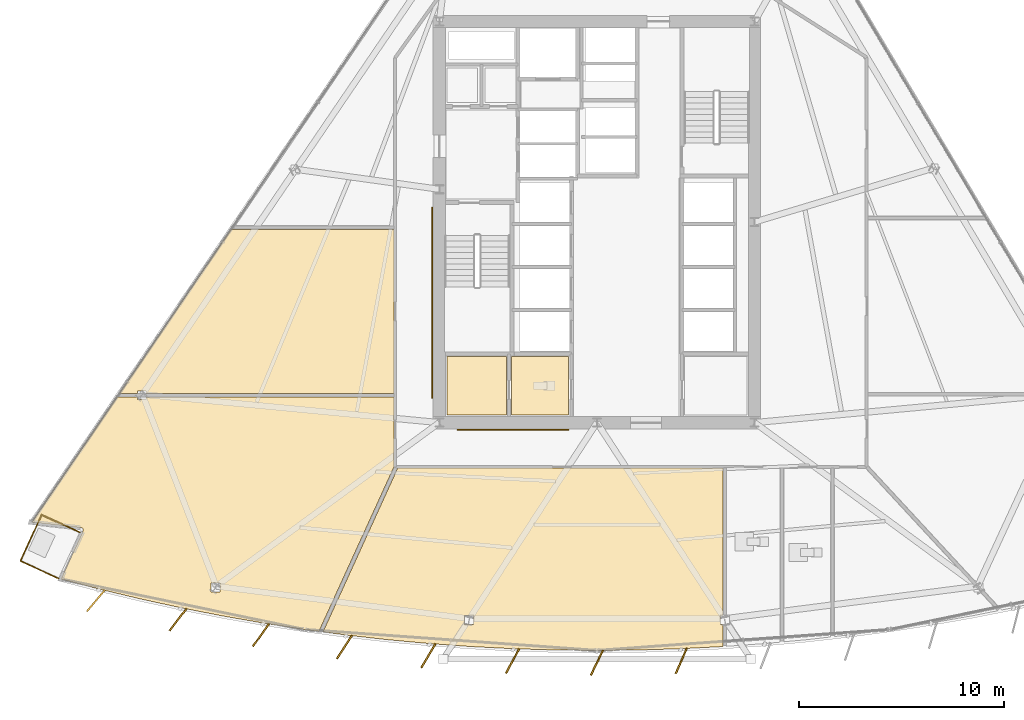
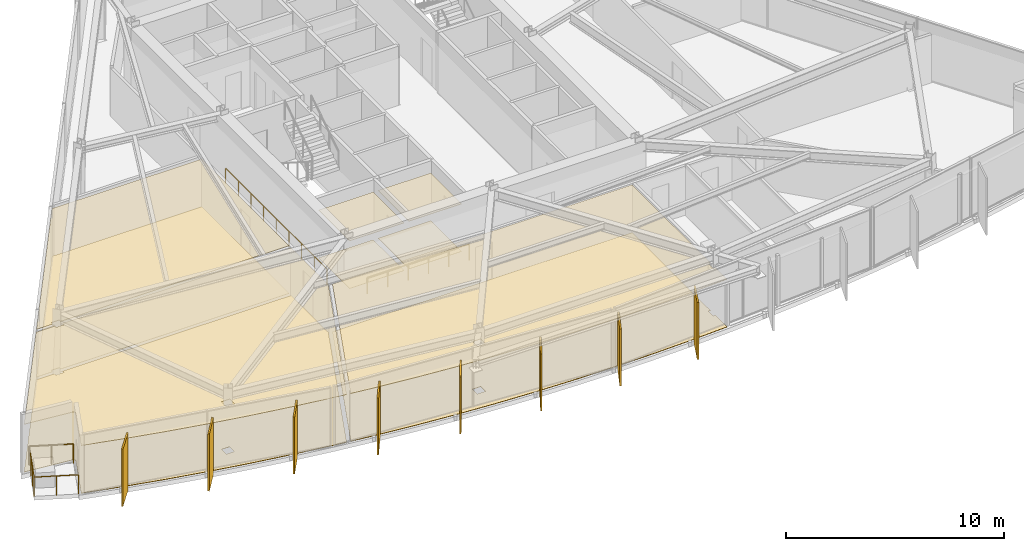
# One storey, part 11 of 15: 10 coverings, 8 shading devices, 5 railings.
"""IFC4 building model written with IfcOpenShell, lengths in metres."""

from ifc_helpers import new_model, si_unit, direction, frame, origin, origin_2d, place, context, subcontext, project, spatial, polyline, rectangle, circle, outline, extrude, material, layer, layer_set, type_object, element, save


model = new_model("IFC4")

# Units and contexts
model_context = context("Model", 3, precision=1e-05, world=origin(), true_north=direction((0.0, 1.0)))
body_context = subcontext(model_context, "Body", "Model", "MODEL_VIEW")
ifc_project = project(units=[si_unit("LENGTHUNIT", "METRE"), si_unit("AREAUNIT", "SQUARE_METRE"), si_unit("VOLUMEUNIT", "CUBIC_METRE"), si_unit("PLANEANGLEUNIT", "RADIAN"), si_unit("MASSUNIT", "GRAM", prefix="KILO")], contexts=[model_context])

# Site, building, storey
site_placement = place(None, origin())
site = spatial("IfcSite", under=ifc_project, at=site_placement, CompositionType="ELEMENT")
building_placement = place(site_placement, origin())
building = spatial("IfcBuilding", under=site, at=building_placement, Name="Savorim Split Tower", CompositionType="ELEMENT")
storey_placement = place(building_placement, frame((0.0, 0.0, 111.300048828125)))
storey = spatial("IfcBuildingStorey", under=building, at=storey_placement, Name="L29", CompositionType="ELEMENT", Elevation=111.300048828125)

# Coverings
ifc_material_1 = material(Name="Mineral Fibre Acoustic Ceiling")
ifc_layer_1 = layer(ifc_material_1, 0.02490234375)
ifc_layer_set_1 = layer_set([ifc_layer_1], Name="COV-CEIL-25")
covering_type_1 = type_object("IfcCoveringType", Name="COV-CEIL-25", PredefinedType="CEILING", material=ifc_layer_set_1)
covering_1_placement = place(storey_placement, frame((0.0, 0.0, 2.669921875)))
element("IfcCovering", 1, at=covering_1_placement, inside=storey, type_object=covering_type_1, Name="L29 Housekeeping Store Acoustic Ceiling", PredefinedType="CEILING", context=body_context, shape_type="SweptSolid", body=[
    extrude(outline(polyline([(-7.320068359375, -6.179931640625), (-7.320068359375, -9.02001953125), (-4.429931640625, -9.02001953125), (-4.429931640625, -6.179931640625), (-7.320068359375, -6.179931640625)])), origin(), (0.0, 0.0, 1.0), 0.025146484375),
])
covering_2_placement = place(storey_placement, frame((0.0, 0.0, 2.669921875)))
element("IfcCovering", 2, at=covering_2_placement, inside=storey, type_object=covering_type_1, Name="L29 Accessible WC Acoustic Ceiling", PredefinedType="CEILING", context=body_context, shape_type="SweptSolid", body=[
    extrude(outline(polyline([(-4.169921875, -6.179931640625), (-4.169921875, -9.02001953125), (-1.3798828125, -9.02001953125), (-1.3798828125, -6.179931640625), (-4.169921875, -6.179931640625)])), origin(), (0.0, 0.0, 1.0), 0.025146484375),
])
covering_3_placement = place(storey_placement, frame((0.0, 0.0, 2.669921875)))
element("IfcCovering", 3, at=covering_3_placement, inside=storey, type_object=covering_type_1, Name="L29 Co-Working Commons Acoustic Ceiling", PredefinedType="CEILING", context=body_context, shape_type="SweptSolid", body=[
    extrude(outline(polyline([(-22.03466796875, -7.845947265625), (-22.03466796875, -7.968994140625), (-9.919921875, -7.968994140625), (-9.919921875, 0.045166015625), (-17.87060546875, 0.045166015625), (-23.322265625, -7.968994140625), (-22.460693359375, -7.968994140625), (-22.460693359375, -7.845947265625), (-22.03466796875, -7.845947265625)])), origin(), (0.0, 0.0, 1.0), 0.025146484375),
])
covering_4_placement = place(storey_placement, frame((0.0, 0.0, 2.669921875)))
element("IfcCovering", 4, at=covering_4_placement, inside=storey, type_object=covering_type_1, Name="L29 Maker Workshop Acoustic Ceiling", PredefinedType="CEILING", context=body_context, shape_type="SweptSolid", body=[
    extrude(outline(polyline([(-25.099365234375, -14.656494140625), (-25.100341796875, -14.66845703125), (-25.1025390625, -14.68017578125), (-25.105712890625, -14.691650390625), (-25.1103515625, -14.70263671875), (-26.186279296875, -17.044921875), (-24.34130859375, -17.52734375), (-22.348876953125, -18.005126953125), (-20.34716796875, -18.44189453125), (-18.336669921875, -18.837890625), (-16.318603515625, -19.1923828125), (-14.2939453125, -19.505615234375), (-13.583740234375, -19.6005859375), (-9.906494140625, -11.539794921875), (-9.9091796875, -11.53369140625), (-9.9140625, -11.5205078125), (-9.917236328125, -11.50732421875), (-9.919189453125, -11.49365234375), (-9.919921875, -11.47998046875), (-9.919921875, -8.158935546875), (-22.03466796875, -8.158935546875), (-22.03466796875, -8.281982421875), (-22.460693359375, -8.281982421875), (-22.460693359375, -8.158935546875), (-23.326416015625, -8.158935546875), (-23.42138671875, -8.158935546875), (-23.42138671875, -8.114501953125), (-27.605712890625, -14.265380859375), (-25.2060546875, -14.533203125), (-25.194091796875, -14.535400390625), (-25.1826171875, -14.538330078125), (-25.17138671875, -14.54248046875), (-25.160888671875, -14.5478515625), (-25.150634765625, -14.55419921875), (-25.141357421875, -14.561279296875), (-25.132568359375, -14.569580078125), (-25.124755859375, -14.57861328125), (-25.117919921875, -14.58837890625), (-25.112060546875, -14.598876953125), (-25.107177734375, -14.609619140625), (-25.103515625, -14.62109375), (-25.10107421875, -14.6328125), (-25.099609375, -14.64453125), (-25.099365234375, -14.656494140625)]), holes=[polyline([(-18.85107421875, -17.672119140625), (-18.425048828125, -17.672119140625), (-18.425048828125, -17.236083984375), (-18.85107421875, -17.236083984375), (-18.85107421875, -17.672119140625)])]), origin(), (0.0, 0.0, 1.0), 0.025146484375),
])
covering_5_placement = place(storey_placement, frame((0.0, 0.0, 2.669921875)))
element("IfcCovering", 5, at=covering_5_placement, inside=storey, type_object=covering_type_1, Name="L29 Co-Working Commons Acoustic Ceiling", PredefinedType="CEILING", context=body_context, shape_type="SweptSolid", body=[
    extrude(outline(polyline([(6.03369140625, -18.826904296875), (6.151611328125, -18.826904296875), (6.151611328125, -11.6201171875), (-9.734130859375, -11.6201171875), (-13.386962890625, -19.627197265625), (-12.262939453125, -19.77734375), (-10.22705078125, -20.007568359375), (-8.186767578125, -20.196044921875), (-6.14306640625, -20.342529296875), (-4.0966796875, -20.447509765625), (-2.048828125, -20.51025390625), (0.0, -20.53125), (2.048828125, -20.51025390625), (4.0966796875, -20.447509765625), (6.14306640625, -20.342529296875), (6.151611328125, -20.342041015625), (6.151611328125, -19.262939453125), (6.03369140625, -19.262939453125), (6.03369140625, -18.826904296875)]), holes=[polyline([(-6.459716796875, -19.262939453125), (-6.03369140625, -19.262939453125), (-6.03369140625, -18.826904296875), (-6.459716796875, -18.826904296875), (-6.459716796875, -19.262939453125)])]), origin(), (0.0, 0.0, 1.0), 0.025146484375),
])
ifc_material_2 = material(Name="Porcelain Stoneware Flooring", Category="masonry")
ifc_layer_2 = layer(ifc_material_2, 0.02001953125)
ifc_layer_set_2 = layer_set([ifc_layer_2], Name="COV-FLOR-20")
covering_type_2 = type_object("IfcCoveringType", Name="COV-FLOR-20", PredefinedType="FLOORING", material=ifc_layer_set_2)
covering_6_placement = place(storey_placement, origin())
element("IfcCovering", 6, at=covering_6_placement, inside=storey, type_object=covering_type_2, Name="L29 Housekeeping Store Porcelain Flooring", PredefinedType="FLOORING", context=body_context, shape_type="SweptSolid", body=[
    extrude(outline(polyline([(-7.320068359375, -6.179931640625), (-7.320068359375, -9.02001953125), (-4.429931640625, -9.02001953125), (-4.429931640625, -6.179931640625), (-7.320068359375, -6.179931640625)])), origin(), (0.0, 0.0, 1.0), 0.02001953125),
])
covering_7_placement = place(storey_placement, origin())
element("IfcCovering", 7, at=covering_7_placement, inside=storey, type_object=covering_type_2, Name="L29 Accessible WC Porcelain Flooring", PredefinedType="FLOORING", context=body_context, shape_type="SweptSolid", body=[
    extrude(outline(polyline([(-4.169921875, -6.179931640625), (-4.169921875, -9.02001953125), (-1.3798828125, -9.02001953125), (-1.3798828125, -6.179931640625), (-4.169921875, -6.179931640625)])), origin(), (0.0, 0.0, 1.0), 0.02001953125),
])
covering_8_placement = place(storey_placement, origin())
element("IfcCovering", 8, at=covering_8_placement, inside=storey, type_object=covering_type_2, Name="L29 Co-Working Commons Porcelain Flooring", PredefinedType="FLOORING", context=body_context, shape_type="SweptSolid", body=[
    extrude(outline(polyline([(-22.03466796875, -7.845947265625), (-22.03466796875, -7.968994140625), (-9.919921875, -7.968994140625), (-9.919921875, 0.045166015625), (-17.87060546875, 0.045166015625), (-23.322265625, -7.968994140625), (-22.460693359375, -7.968994140625), (-22.460693359375, -7.845947265625), (-22.03466796875, -7.845947265625)])), origin(), (0.0, 0.0, 1.0), 0.02001953125),
])
covering_9_placement = place(storey_placement, origin())
element("IfcCovering", 9, at=covering_9_placement, inside=storey, type_object=covering_type_2, Name="L29 Maker Workshop Porcelain Flooring", PredefinedType="FLOORING", context=body_context, shape_type="SweptSolid", body=[
    extrude(outline(polyline([(-25.099365234375, -14.656494140625), (-25.100341796875, -14.66845703125), (-25.1025390625, -14.68017578125), (-25.105712890625, -14.691650390625), (-25.1103515625, -14.70263671875), (-26.186279296875, -17.044921875), (-24.34130859375, -17.52734375), (-22.348876953125, -18.005126953125), (-20.34716796875, -18.44189453125), (-18.336669921875, -18.837890625), (-16.318603515625, -19.1923828125), (-14.2939453125, -19.505615234375), (-13.583740234375, -19.6005859375), (-9.906494140625, -11.539794921875), (-9.9091796875, -11.53369140625), (-9.9140625, -11.5205078125), (-9.917236328125, -11.50732421875), (-9.919189453125, -11.49365234375), (-9.919921875, -11.47998046875), (-9.919921875, -8.158935546875), (-22.03466796875, -8.158935546875), (-22.03466796875, -8.281982421875), (-22.460693359375, -8.281982421875), (-22.460693359375, -8.158935546875), (-23.326416015625, -8.158935546875), (-23.42138671875, -8.158935546875), (-23.42138671875, -8.114501953125), (-27.605712890625, -14.265380859375), (-25.2060546875, -14.533203125), (-25.194091796875, -14.535400390625), (-25.1826171875, -14.538330078125), (-25.17138671875, -14.54248046875), (-25.160888671875, -14.5478515625), (-25.150634765625, -14.55419921875), (-25.141357421875, -14.561279296875), (-25.132568359375, -14.569580078125), (-25.124755859375, -14.57861328125), (-25.117919921875, -14.58837890625), (-25.112060546875, -14.598876953125), (-25.107177734375, -14.609619140625), (-25.103515625, -14.62109375), (-25.10107421875, -14.6328125), (-25.099609375, -14.64453125), (-25.099365234375, -14.656494140625)]), holes=[polyline([(-18.85107421875, -17.672119140625), (-18.425048828125, -17.672119140625), (-18.425048828125, -17.236083984375), (-18.85107421875, -17.236083984375), (-18.85107421875, -17.672119140625)])]), origin(), (0.0, 0.0, 1.0), 0.02001953125),
])
covering_10_placement = place(storey_placement, origin())
element("IfcCovering", 10, at=covering_10_placement, inside=storey, type_object=covering_type_2, Name="L29 Co-Working Commons Porcelain Flooring", PredefinedType="FLOORING", context=body_context, shape_type="SweptSolid", body=[
    extrude(outline(polyline([(6.03369140625, -18.826904296875), (6.151611328125, -18.826904296875), (6.151611328125, -11.6201171875), (-9.734130859375, -11.6201171875), (-13.386962890625, -19.627197265625), (-12.262939453125, -19.77734375), (-10.22705078125, -20.007568359375), (-8.186767578125, -20.196044921875), (-6.14306640625, -20.342529296875), (-4.0966796875, -20.447509765625), (-2.048828125, -20.51025390625), (0.0, -20.53125), (2.048828125, -20.51025390625), (4.0966796875, -20.447509765625), (6.14306640625, -20.342529296875), (6.151611328125, -20.342041015625), (6.151611328125, -19.262939453125), (6.03369140625, -19.262939453125), (6.03369140625, -18.826904296875)]), holes=[polyline([(-6.459716796875, -19.262939453125), (-6.03369140625, -19.262939453125), (-6.03369140625, -18.826904296875), (-6.459716796875, -18.826904296875), (-6.459716796875, -19.262939453125)])]), origin(), (0.0, 0.0, 1.0), 0.02001953125),
])

# Railings
ifc_material_3 = material(Name="Galvanised Painted Steel Balustrade", Category="steel")
railing_type_1 = type_object("IfcRailingType", Name="RLG-BAL-1100", PredefinedType="BALUSTRADE", material=ifc_material_3)
railing_1_placement = place(storey_placement, frame((-26.30517578125, -17.015869140625, 0.0)))
element("IfcRailing", 11, at=railing_1_placement, inside=storey, type_object=railing_type_1, Name="L29 Tree Balcony Guardrail SW-1", PredefinedType="BALUSTRADE", context=body_context, shape_type="SweptSolid", body=[
    extrude(circle(Radius=0.02392578125, at=origin_2d()), frame((0.0, 0.0, 1.076171875), z_axis=(-0.908662190505, 0.417532062898, 0.0), x_axis=(-0.417532062898, -0.908662190505, 0.0)), (0.0, 0.0, 1.0), 2.050048828125),
    extrude(circle(Radius=0.02099609375, at=origin_2d()), origin(), (0.0, 0.0, 1.0), 1.052001953125),
    extrude(circle(Radius=0.02099609375, at=origin_2d()), frame((-0.931396484375, 0.427978515625, 0.0)), (0.0, 0.0, 1.0), 1.052001953125),
    extrude(circle(Radius=0.02099609375, at=origin_2d()), frame((-1.86279296875, 0.85595703125, 0.0)), (0.0, 0.0, 1.0), 1.052001953125),
])
railing_2_placement = place(storey_placement, frame((-28.16796875, -16.159912109375, 0.0)))
element("IfcRailing", 12, at=railing_2_placement, inside=storey, type_object=railing_type_1, Name="L29 Tree Balcony Guardrail SW-2", PredefinedType="BALUSTRADE", context=body_context, shape_type="SweptSolid", body=[
    extrude(circle(Radius=0.02392578125, at=origin_2d()), frame((0.0, 0.0, 1.076171875), z_axis=(0.417566056069, 0.908646569805, 0.0), x_axis=(-0.908646569805, 0.417566056069, 0.0)), (0.0, 0.0, 1.0), 2.480712890625),
    extrude(circle(Radius=0.02099609375, at=origin_2d()), origin(), (0.0, 0.0, 1.0), 1.052001953125),
    extrude(circle(Radius=0.02099609375, at=origin_2d()), frame((0.34521484375, 0.75146484375, 0.0)), (0.0, 0.0, 1.0), 1.052001953125),
    extrude(circle(Radius=0.02099609375, at=origin_2d()), frame((0.690673828125, 1.502685546875, 0.0)), (0.0, 0.0, 1.0), 1.052001953125),
    extrude(circle(Radius=0.02099609375, at=origin_2d()), frame((1.035888671875, 2.254150390625, 0.0)), (0.0, 0.0, 1.0), 1.052001953125),
])
railing_3_placement = place(storey_placement, frame((-27.132080078125, -13.90576171875, 0.0)))
element("IfcRailing", 13, at=railing_3_placement, inside=storey, type_object=railing_type_1, Name="L29 Tree Balcony Guardrail SW-3", PredefinedType="BALUSTRADE", context=body_context, shape_type="SweptSolid", body=[
    extrude(circle(Radius=0.02392578125, at=origin_2d()), frame((0.0, 0.0, 1.076171875), z_axis=(0.908662190505, -0.417532062898, 0.0), x_axis=(0.417532062898, 0.908662190505, 0.0)), (0.0, 0.0, 1.0), 2.050048828125),
    extrude(circle(Radius=0.02099609375, at=origin_2d()), origin(), (0.0, 0.0, 1.0), 1.052001953125),
    extrude(circle(Radius=0.02099609375, at=origin_2d()), frame((0.931396484375, -0.427978515625, 0.0)), (0.0, 0.0, 1.0), 1.052001953125),
    extrude(circle(Radius=0.02099609375, at=origin_2d()), frame((1.86279296875, -0.85595703125, 0.0)), (0.0, 0.0, 1.0), 1.052001953125),
])
railing_type_2 = type_object("IfcRailingType", Name="RLG-HR-900", PredefinedType="HANDRAIL", material=ifc_material_3)
railing_4_placement = place(storey_placement, frame((-6.800048828125, -9.75, 0.0)))
element("IfcRailing", 14, at=railing_4_placement, inside=storey, type_object=railing_type_2, Name="L29 Corridor South Accessible Handrail", PredefinedType="HANDRAIL", context=body_context, shape_type="SweptSolid", body=[
    extrude(circle(Radius=0.02392578125, at=origin_2d()), frame((0.0, 0.0, 0.8759765625), z_axis=(1.0, 0.0, 0.0), x_axis=(0.0, 1.0, 0.0)), (0.0, 0.0, 1.0), 5.400146484375),
    extrude(circle(Radius=0.02099609375, at=origin_2d()), origin(), (0.0, 0.0, 1.0), 0.851806640625),
    extrude(circle(Radius=0.02099609375, at=origin_2d()), frame((1.080078125, 0.0, 0.0)), (0.0, 0.0, 1.0), 0.851806640625),
    extrude(circle(Radius=0.02099609375, at=origin_2d()), frame((2.16015625, 0.0, 0.0)), (0.0, 0.0, 1.0), 0.851806640625),
    extrude(circle(Radius=0.02099609375, at=origin_2d()), frame((3.239990234375, 0.0, 0.0)), (0.0, 0.0, 1.0), 0.851806640625),
    extrude(circle(Radius=0.02099609375, at=origin_2d()), frame((4.320068359375, 0.0, 0.0)), (0.0, 0.0, 1.0), 0.851806640625),
    extrude(circle(Radius=0.02099609375, at=origin_2d()), frame((5.400146484375, 0.0, 0.0)), (0.0, 0.0, 1.0), 0.851806640625),
])
railing_5_placement = place(storey_placement, frame((-8.050048828125, -8.199951171875, 0.0)))
element("IfcRailing", 15, at=railing_5_placement, inside=storey, type_object=railing_type_2, Name="L29 Corridor West Accessible Handrail", PredefinedType="HANDRAIL", context=body_context, shape_type="SweptSolid", body=[
    extrude(circle(Radius=0.02392578125, at=origin_2d()), frame((0.0, 0.0, 0.8759765625), z_axis=(0.0, 1.0, 0.0), x_axis=(-1.0, 0.0, 0.0)), (0.0, 0.0, 1.0), 9.300048828125),
    extrude(circle(Radius=0.02099609375, at=origin_2d()), origin(), (0.0, 0.0, 1.0), 0.851806640625),
    extrude(circle(Radius=0.02099609375, at=origin_2d()), frame((0.0, 1.16259765625, 0.0)), (0.0, 0.0, 1.0), 0.851806640625),
    extrude(circle(Radius=0.02099609375, at=origin_2d()), frame((0.0, 2.324951171875, 0.0)), (0.0, 0.0, 1.0), 0.851806640625),
    extrude(circle(Radius=0.02099609375, at=origin_2d()), frame((0.0, 3.487548828125, 0.0)), (0.0, 0.0, 1.0), 0.851806640625),
    extrude(circle(Radius=0.02099609375, at=origin_2d()), frame((0.0, 4.64990234375, 0.0)), (0.0, 0.0, 1.0), 0.851806640625),
    extrude(circle(Radius=0.02099609375, at=origin_2d()), frame((0.0, 5.8125, 0.0)), (0.0, 0.0, 1.0), 0.851806640625),
    extrude(circle(Radius=0.02099609375, at=origin_2d()), frame((0.0, 6.97509765625, 0.0)), (0.0, 0.0, 1.0), 0.851806640625),
    extrude(circle(Radius=0.02099609375, at=origin_2d()), frame((0.0, 8.137451171875, 0.0)), (0.0, 0.0, 1.0), 0.851806640625),
    extrude(circle(Radius=0.02099609375, at=origin_2d()), frame((0.0, 9.300048828125, 0.0)), (0.0, 0.0, 1.0), 0.851806640625),
])

# Shading devices
ifc_material_4 = material(Name="Terracotta Ceramic-Coated Aluminium Fin", Category="masonry")
shading_device_type = type_object("IfcShadingDeviceType", Name="SHD-FIN-1360", PredefinedType="USERDEFINED", material=ifc_material_4)
for number, where, z_axis, x_axis, name in (
    (16, (-24.486328125, -18.105712890625, -0.2001953125), (0.0, 0.0, 1.0), (-0.643719022682, -0.765261928909, 0.0), "L29 Sawtooth Shading Fin 01"),
    (17, (-20.46826171875, -19.025634765625, -0.2001953125), (0.0, 0.0, 1.0), (-0.611868076908, -0.790959832394, 0.0), "L29 Sawtooth Shading Fin 02"),
    (18, (-16.415771484375, -19.780517578125, -0.2001953125), (0.0, 0.0, 1.0), (-0.578993757737, -0.815331974414, 0.0), "L29 Sawtooth Shading Fin 03"),
    (19, (-12.3359375, -20.368896484375, -0.2001953125), (0.0, 0.0, 1.0), (-0.545148321708, -0.838339613366, 0.0), "L29 Sawtooth Shading Fin 04"),
    (20, (-8.235595703125, -20.7900390625, -0.2001953125), (0.0, 0.0, 1.0), (-0.510391336723, -0.859942255851, 0.0), "L29 Sawtooth Shading Fin 05"),
    (21, (-4.12109375, -21.04296875, -0.2001953125), (0.0, 0.0, 1.0), (-0.474778051978, -0.880105562623, 0.0), "L29 Sawtooth Shading Fin 06"),
    (22, (0.0, -21.127197265625, -0.2001953125), (0.0, 0.0, 1.0), (-0.438371146789, -0.898794046299, 0.0), "L29 Sawtooth Shading Fin 07"),
    (23, (4.12109375, -21.04296875, -0.2001953125), (0.0, 0.0, 1.0), (-0.401230091723, -0.915977299662, 0.0), "L29 Sawtooth Shading Fin 08"),
):
    element("IfcShadingDevice", number, at=place(storey_placement, frame(where, z_axis=z_axis, x_axis=x_axis)), inside=storey, type_object=shading_device_type, Name=name, ObjectType="FIN", PredefinedType="USERDEFINED", context=body_context, shape_type="SweptSolid", body=[
        extrude(rectangle(XDim=1.360107421875, YDim=0.080078125, at=origin_2d()), origin(), (0.0, 0.0, 1.0), 3.199951171875),
    ])

save(model, "model.ifc")
